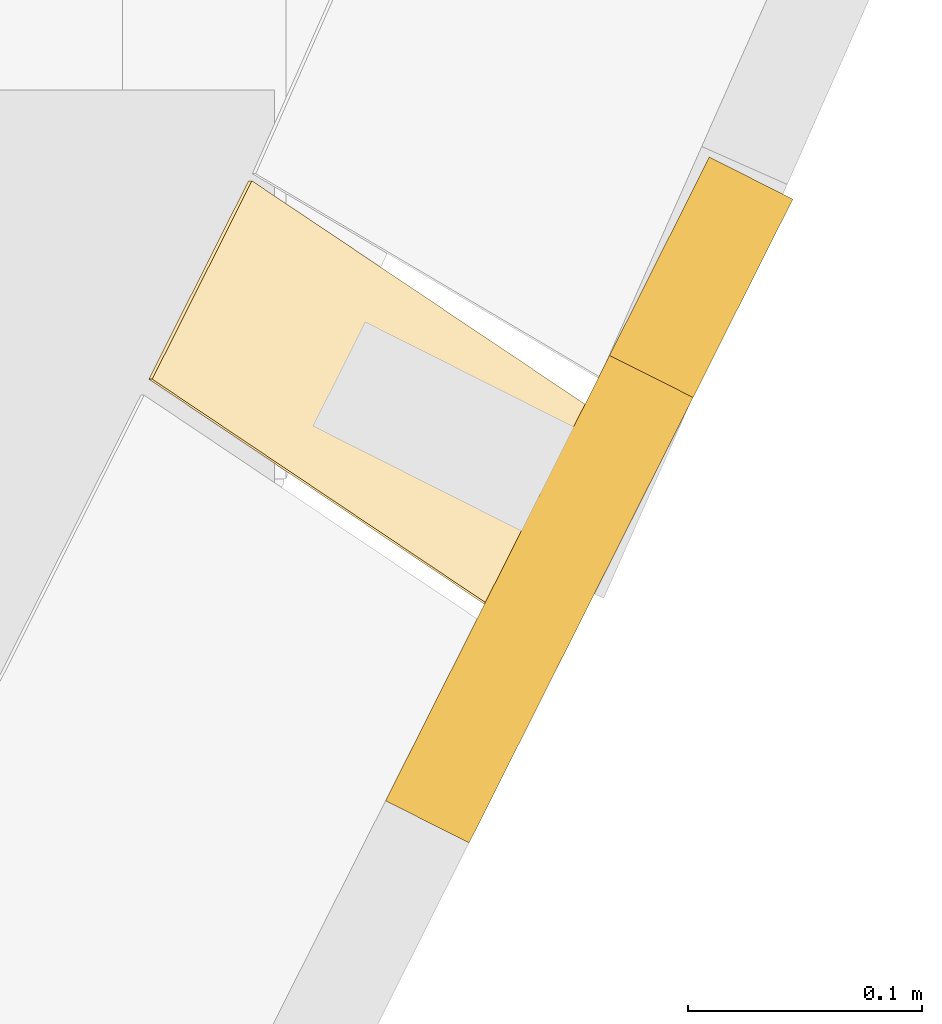
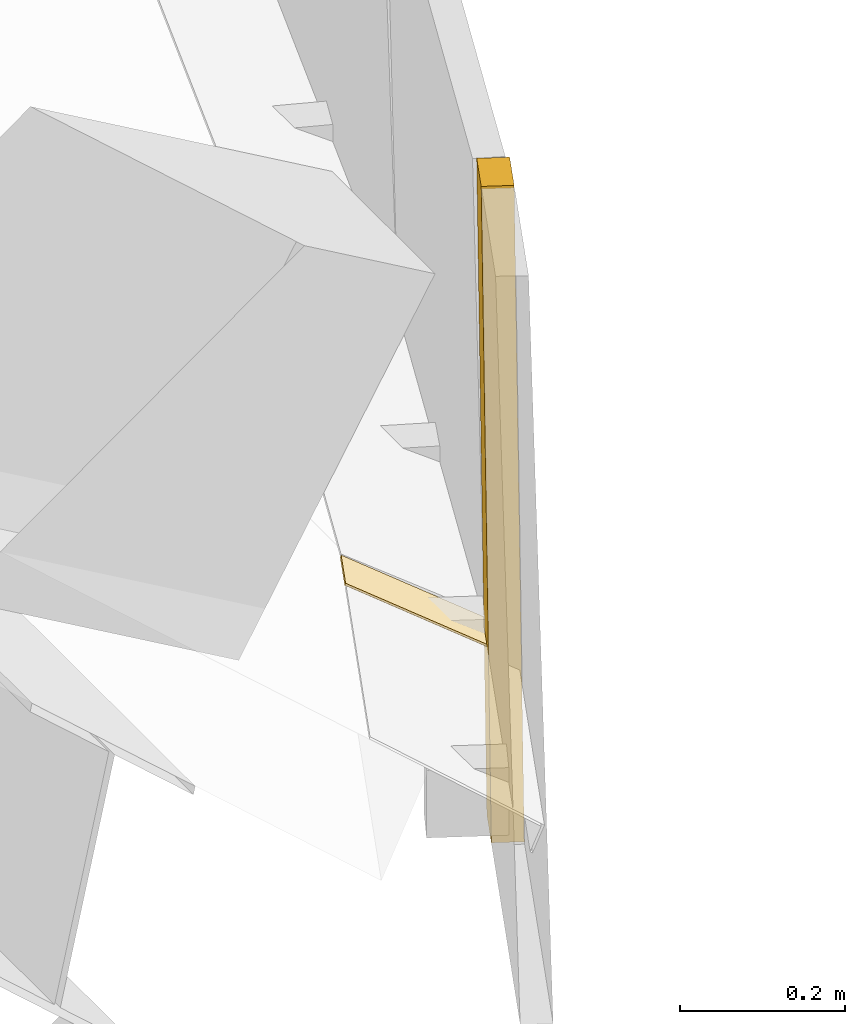
# One storey, part 102 of 105: 2 coverings.
"""IFC4 building model written with IfcOpenShell, lengths in metres."""

from ifc_helpers import new_model, si_unit, direction, frame, origin, origin_2d, place, context, subcontext, project, spatial, polyline, rectangle, outline, extrude, material, material_profile, profile_set, type_object, element, save


model = new_model("IFC4")

# Units and contexts
model_context = context("Model", 3, precision=1e-05, world=origin(), true_north=direction((0.0, 1.0)))
body_context = subcontext(model_context, "Body", "Model", "MODEL_VIEW")
ifc_project = project(units=[si_unit("LENGTHUNIT", "METRE"), si_unit("AREAUNIT", "SQUARE_METRE"), si_unit("VOLUMEUNIT", "CUBIC_METRE"), si_unit("PLANEANGLEUNIT", "RADIAN"), si_unit("MASSUNIT", "GRAM", prefix="KILO")], contexts=[model_context])

# Site, building, storey
site_placement = place(None, origin())
site = spatial("IfcSite", under=ifc_project, at=site_placement, CompositionType="ELEMENT")
building_placement = place(site_placement, origin())
building = spatial("IfcBuilding", under=site, at=building_placement, Name="Wasatch Bagh Community Centre", CompositionType="ELEMENT")
storey_placement = place(building_placement, frame((0.0, 0.0, 16.800048828125)))
storey = spatial("IfcBuildingStorey", under=building, at=storey_placement, Name="L04", CompositionType="ELEMENT", Elevation=16.800048828125)

# Coverings
ifc_material = material(Name="ASTM A653 Grade 50 steel, zinc-aluminium coated", Category="steel")
ifc_material_profile_1 = material_profile(ifc_material, outline(polyline([(-0.080078125, 0.0029296875), (0.152099609375, 0.0029296875), (0.152099609375, -0.031982421875), (0.14892578125, -0.031982421875), (0.14892578125, 0.0), (-0.080078125, 0.0), (-0.080078125, 0.0029296875)])), Name="DRIP EDGE")
ifc_profile_set_1 = profile_set([ifc_material_profile_1], Name="ASTM A653 Grade 50 steel, zinc-aluminium coated")
covering_type_1 = type_object("IfcCoveringType", Name="MH drip edge", PredefinedType="CLADDING", material=ifc_profile_set_1)
covering_1_placement = place(storey_placement, frame((54.79443359375, 26.2958984375, 13.786376953125), z_axis=(-0.434884962404, -0.864799810953, 0.250990749731), x_axis=(0.748987119776, -0.502116805755, -0.432315865761)))
element("IfcCovering", 1, at=covering_1_placement, inside=storey, type_object=covering_type_1, Name="Drip edge 10", PredefinedType="CLADDING", context=body_context, shape_type="SweptSolid", body=[
    extrude(outline(polyline([(-0.080078125, 0.0029296875), (0.152099609375, 0.0029296875), (0.152099609375, -0.031982421875), (0.14892578125, -0.031982421875), (0.14892578125, 0.0), (-0.080078125, 0.0), (-0.080078125, 0.0029296875)])), origin(), (0.0, 0.0, 1.0), 0.09814453125),
])
ifc_material_profile_2 = material_profile(ifc_material, rectangle(XDim=0.0400390625, YDim=0.85009765625, at=origin_2d()), Name="FASCIA 40x850")
ifc_profile_set_2 = profile_set([ifc_material_profile_2], Name="ASTM A653 Grade 50 steel, zinc-aluminium coated")
covering_type_2 = type_object("IfcCoveringType", Name="MH eave fascia 40x850", PredefinedType="CLADDING", material=ifc_profile_set_2)
covering_2_placement = place(storey_placement, frame((54.901611328125, 26.241943359375, 13.925048828125), z_axis=(-0.434884962404, -0.864799810953, 0.250990749731), x_axis=(0.893397938854, -0.449266204884, 0.0)))
element("IfcCovering", 2, at=covering_2_placement, inside=storey, type_object=covering_type_2, Name="Eave fascia 10", PredefinedType="CLADDING", context=body_context, shape_type="SweptSolid", body=[
    extrude(rectangle(XDim=0.0400390625, YDim=0.85009765625, at=origin_2d()), origin(), (0.0, 0.0, 1.0), 0.09814453125),
])

save(model, "model.ifc")
